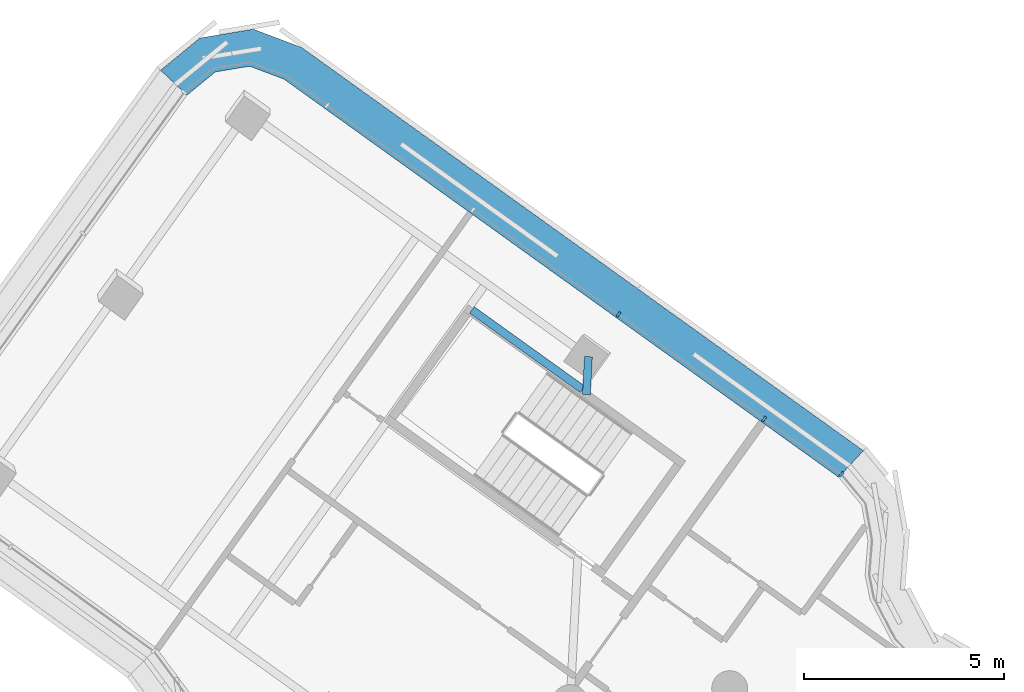
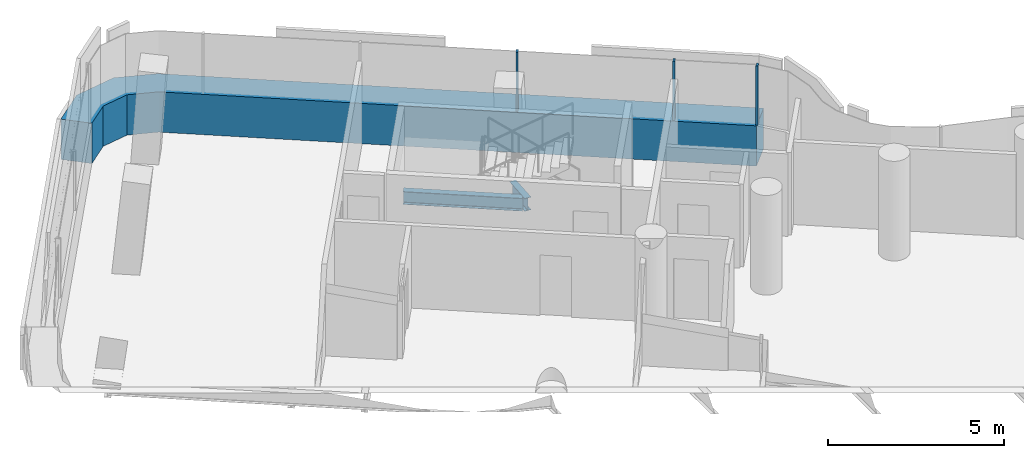
# One storey, part 14 of 27: 4 members, 2 beams, 1 element without a shape of its own.
"""IFC4 building model written with IfcOpenShell, lengths in metres."""

from ifc_helpers import new_model, si_unit, direction, frame, origin, origin_2d, place, context, subcontext, project, spatial, polyline, rectangle, i_section, outline, extrude, material, layer, layer_set, material_profile, profile_set, type_object, element, aggregate, save


model = new_model("IFC4")

# Units and contexts
model_context = context("Model", 3, precision=1e-05, world=origin(), true_north=direction((0.0, 1.0)))
body_context = subcontext(model_context, "Body", "Model", "MODEL_VIEW")
ifc_project = project(units=[si_unit("LENGTHUNIT", "METRE"), si_unit("AREAUNIT", "SQUARE_METRE"), si_unit("VOLUMEUNIT", "CUBIC_METRE"), si_unit("PLANEANGLEUNIT", "RADIAN"), si_unit("MASSUNIT", "GRAM", prefix="KILO")], contexts=[model_context])

# Site, building, storey
site_placement = place(None, origin())
site = spatial("IfcSite", under=ifc_project, at=site_placement, CompositionType="ELEMENT")
building_placement = place(site_placement, origin())
building = spatial("IfcBuilding", under=site, at=building_placement, Name="Tamarind Cross Interchange Tower", CompositionType="ELEMENT")
storey_placement = place(building_placement, frame((0.0, 0.0, 230.699951171875)))
storey = spatial("IfcBuildingStorey", under=building, at=storey_placement, Name="L58", CompositionType="ELEMENT", Elevation=230.699951171875)

# Beams
ifc_material_1 = material(Name="Steel Q355B", Category="steel")
ifc_material_profile_1 = material_profile(ifc_material_1, i_section(OverallWidth=0.198974609375, OverallDepth=0.446044921875, WebThickness=0.008056640625, FlangeThickness=0.011962890625, FilletRadius=0.012939453125, at=origin_2d()), Name="HN 446x199x8x12")
ifc_profile_set_1 = profile_set([ifc_material_profile_1], Name="Steel Q355B")
beam_type = type_object("IfcBeamType", Name="Composite beam HN 446x199x8x12 Q355B", PredefinedType="BEAM", material=ifc_profile_set_1)
beam_1_placement = place(storey_placement, frame((-3.53564453125, 31.30810546875, -0.363037109375), z_axis=(-0.052936480596, -0.998597881543, 0.0), x_axis=(0.998597881543, -0.052936480596, 0.0)))
element("IfcBeam", 1, at=beam_1_placement, inside=storey, type_object=beam_type, Name="Beam N-linkemt0", PredefinedType="BEAM", context=body_context, shape_type="SweptSolid", body=[
    extrude(i_section(OverallWidth=0.198974609375, OverallDepth=0.446044921875, WebThickness=0.008056640625, FlangeThickness=0.011962890625, FilletRadius=0.012939453125, at=origin_2d()), origin(), (0.0, 0.0, 1.0), 0.949951171875),
])
beam_2_placement = place(storey_placement, frame((-3.6787109375, 30.487548828125, -0.363037109375), z_axis=(-0.812392380194, 0.583111156301, 0.0), x_axis=(-0.583111156301, -0.812392380194, 0.0)))
element("IfcBeam", 2, at=beam_2_placement, inside=storey, type_object=beam_type, Name="Beam N-tr0s1", PredefinedType="BEAM", context=body_context, shape_type="SweptSolid", body=[
    extrude(i_section(OverallWidth=0.198974609375, OverallDepth=0.446044921875, WebThickness=0.008056640625, FlangeThickness=0.011962890625, FilletRadius=0.012939453125, at=origin_2d()), origin(), (0.0, 0.0, 1.0), 3.41259765625),
])

# Curtain wall, members
ifc_material_2 = material(Name="Aluminium 6063-T6", Category="aluminium")
ifc_layer = layer(ifc_material_2, 0.139892578125)
ifc_layer_set = layer_set([ifc_layer], Name="Aluminium 6063-T6")
curtain_wall_type = type_object("IfcCurtainWallType", Name="Hotel curtain wall, 4.5 m bays", PredefinedType="NOTDEFINED", material=ifc_layer_set)
curtain_wall_placement = place(storey_placement, origin())
curtain_wall = element("IfcCurtainWall", 3, at=curtain_wall_placement, inside=storey, type_object=curtain_wall_type, Name="CWS-L58-03", PredefinedType="NOTDEFINED")
ifc_material_3 = material(Name="Aluminium and insulated spandrel panel", Category="aluminium")
member_type_1 = type_object("IfcMemberType", Name="Floor-edge blade transom", PredefinedType="USERDEFINED", material=ifc_material_3)
member_1_placement = place(storey_placement, origin())
member_1 = element("IfcMember", 4, at=member_1_placement, type_object=member_type_1, Name="CWT-L58-03", ObjectType="TRANSOM", PredefinedType="USERDEFINED", context=body_context, shape_type="SweptSolid", body=[
    extrude(outline(polyline([(2.7275390625, 28.28955078125), (-11.153076171875, 38.2529296875), (-12.009521484375, 38.575927734375), (-12.87255859375, 38.434326171875), (-13.58056640625, 37.85400390625), (-14.24267578125, 38.47509765625), (-13.25634765625, 39.283203125), (-11.91748046875, 39.503173828125), (-10.724365234375, 39.052978515625), (3.3466796875, 28.952880859375), (2.7275390625, 28.28955078125)])), origin(), (0.0, 0.0, 1.0), 1.400146484375),
])
ifc_material_profile_2 = material_profile(ifc_material_2, rectangle(XDim=0.06005859375, YDim=0.139892578125, at=origin_2d()), Name="Mullion CW2")
ifc_profile_set_2 = profile_set([ifc_material_profile_2], Name="Aluminium 6063-T6")
member_type_2 = type_object("IfcMemberType", Name="Mullion CW2", PredefinedType="MULLION", material=ifc_profile_set_2)
member_2_placement = place(storey_placement, frame((2.79638671875, 28.36328125, 1.400146484375), z_axis=(0.0, 0.0, 1.0), x_axis=(-0.730927197439, 0.682455443267, 0.0)))
member_2 = element("IfcMember", 5, at=member_2_placement, type_object=member_type_2, Name="CWM-L58-03-00", PredefinedType="MULLION", context=body_context, shape_type="SweptSolid", body=[
    extrude(rectangle(XDim=0.06005859375, YDim=0.139892578125, at=origin_2d()), origin(), (0.0, 0.0, 1.0), 2.059814453125),
])
member_3_placement = place(storey_placement, frame((0.863037109375, 29.7509765625, 1.400146484375), z_axis=(0.0, 0.0, 1.0), x_axis=(-0.812384886086, 0.583121596975, 0.0)))
member_3 = element("IfcMember", 6, at=member_3_placement, type_object=member_type_2, Name="CWM-L58-03-01", PredefinedType="MULLION", context=body_context, shape_type="SweptSolid", body=[
    extrude(rectangle(XDim=0.06005859375, YDim=0.139892578125, at=origin_2d()), origin(), (0.0, 0.0, 1.0), 2.059814453125),
])
member_4_placement = place(storey_placement, frame((-2.781494140625, 32.366943359375, 1.400146484375), z_axis=(0.0, 0.0, 1.0), x_axis=(-0.812384886086, 0.583121596975, 0.0)))
member_4 = element("IfcMember", 7, at=member_4_placement, type_object=member_type_2, Name="CWM-L58-03-02", PredefinedType="MULLION", context=body_context, shape_type="SweptSolid", body=[
    extrude(rectangle(XDim=0.06005859375, YDim=0.139892578125, at=origin_2d()), origin(), (0.0, 0.0, 1.0), 2.059814453125),
])
aggregate(curtain_wall, [member_2, member_3, member_4, member_1])

save(model, "model.ifc")
